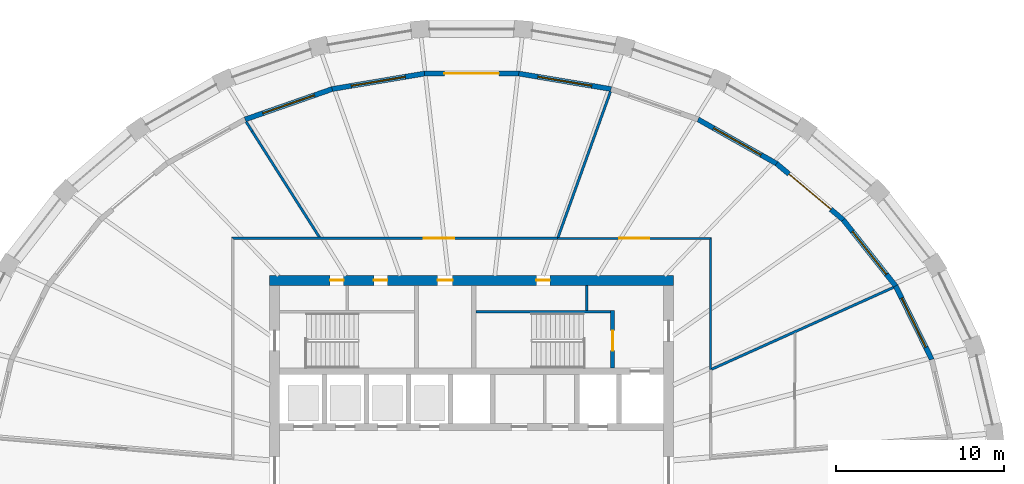
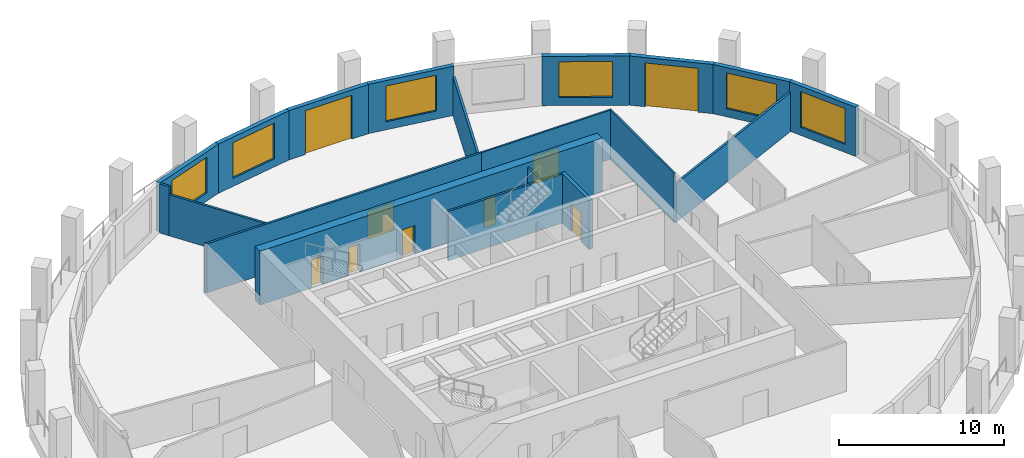
# One storey, part 6 of 10: 19 walls, 9 doors, 6 windows, 15 openings.
"""IFC4 building model written with IfcOpenShell, lengths in metres."""

import ifcopenshell
import ifcopenshell.guid

model = None  # the IFC model being written
_history = None  # IfcOwnerHistory: only IFC2X3 demands one
_inside = {}  # id of a spatial element -> (the spatial element, [elements in it])
_under = {}  # id of a project, library or spatial element -> (it, [spatial elements below it])
_declared = {}  # id of a project -> (the project, [libraries it declares])
_typed = {}  # id of a type object -> (the type object, [elements of that type])
_made_of = {}  # id of a material, layer set ... -> (it, [elements and type objects made of it])


def new_model(schema):
    """Start an empty IFC model of exactly this schema.

    Asked for "IFC4X3", IfcOpenShell would pick the latest addendum, in which some entities
    have other attributes; the version numbers below select the first issue.
    IFC2X3 requires an IfcOwnerHistory on every rooted entity: one is made here for all.
    """
    global model, _history
    if schema == "IFC4X3":
        model = ifcopenshell.file(schema_version=(4, 3, 0, 0))
    else:
        model = ifcopenshell.file(schema=schema)
    _inside.clear()
    _under.clear()
    _declared.clear()
    _typed.clear()
    _made_of.clear()
    _history = None
    if model.schema == "IFC2X3":
        org = make("IfcOrganization", Name="unknown")
        user = make(
            "IfcPersonAndOrganization",
            ThePerson=make("IfcPerson", FamilyName="unknown"),
            TheOrganization=org,
        )
        app = make(
            "IfcApplication",
            ApplicationDeveloper=org,
            Version="unknown",
            ApplicationFullName="unknown",
            ApplicationIdentifier="unknown",
        )
        _history = make(
            "IfcOwnerHistory",
            OwningUser=user,
            OwningApplication=app,
            ChangeAction="ADDED",
            CreationDate=0,
        )
    return model


def make(cls, **values):
    """One entity of the class cls with the attributes given. An attribute that is None is left unset."""
    return model.create_entity(
        cls, **{name: value for name, value in values.items() if value is not None}
    )


def rooted(cls, **values):
    """An entity with a GlobalId (a new one), such as an element, a storey or a relation."""
    return make(cls, GlobalId=ifcopenshell.guid.new(), OwnerHistory=_history, **values)


def si_unit(unit_type, name, prefix=None):
    """IfcSIUnit, for example si_unit("LENGTHUNIT", "METRE", prefix="MILLI")."""
    return make("IfcSIUnit", UnitType=unit_type, Prefix=prefix, Name=name)


def assignment(units):
    """IfcUnitAssignment: the units of a project."""
    return None if units is None else make("IfcUnitAssignment", Units=units)


def point(xyz):
    """IfcCartesianPoint."""
    return None if xyz is None else make("IfcCartesianPoint", Coordinates=xyz)


def direction(xyz):
    """IfcDirection."""
    return None if xyz is None else make("IfcDirection", DirectionRatios=xyz)


def frame(location, z_axis=None, x_axis=None):
    """IfcAxis2Placement3D, a coordinate frame: its origin and axes. An axis left out is left unset."""
    return make(
        "IfcAxis2Placement3D",
        Location=point(location),
        Axis=direction(z_axis),
        RefDirection=direction(x_axis),
    )


def frame_2d(location, x_axis=None):
    """IfcAxis2Placement2D, a coordinate frame in the plane: its origin and x axis."""
    return make(
        "IfcAxis2Placement2D", Location=point(location), RefDirection=direction(x_axis)
    )


def origin():
    """The frame at (0, 0, 0) with its axes left unset."""
    return frame((0.0, 0.0, 0.0))


def place(relative_to, where):
    """IfcLocalPlacement: puts the frame where relative to a parent placement (None: the world)."""
    return make(
        "IfcLocalPlacement", PlacementRelTo=relative_to, RelativePlacement=where
    )


def context(
    kind, dimensions, precision=None, world=None, true_north=None, identifier=None
):
    """IfcGeometricRepresentationContext, for example the 3D "Model" context."""
    return make(
        "IfcGeometricRepresentationContext",
        ContextIdentifier=identifier,
        ContextType=kind,
        CoordinateSpaceDimension=dimensions,
        Precision=precision,
        WorldCoordinateSystem=world,
        TrueNorth=true_north,
    )


def subcontext(parent, identifier, kind, view, scale=None):
    """IfcGeometricRepresentationSubContext, for example "Body" below "Model"."""
    return make(
        "IfcGeometricRepresentationSubContext",
        ContextIdentifier=identifier,
        ContextType=kind,
        ParentContext=parent,
        TargetScale=scale,
        TargetView=view,
    )


def project(units=None, contexts=None):
    """IfcProject with its units and contexts."""
    return rooted(
        "IfcProject",
        Name="project",
        RepresentationContexts=contexts,
        UnitsInContext=assignment(units),
    )


def spatial(cls, under=None, at=None, **own):
    """A site, building, storey or space (cls), placed at a placement, below another one or the project."""
    s = rooted(cls, ObjectPlacement=at, **own)
    if under is not None:
        _under.setdefault(under.id(), (under, []))[1].append(s)
    return s


def polyline(points):
    """IfcPolyline through the points."""
    return make("IfcPolyline", Points=[point(p) for p in points])


def profile(cls, at=None, kind="AREA", **sizes):
    """A parametric profile (cls). Its sizes go by their IFC names, for example OverallWidth=200.0."""
    return make(cls, ProfileType=kind, Position=at, **sizes)


def rectangle(**sizes):
    """IfcRectangleProfileDef."""
    return profile("IfcRectangleProfileDef", **sizes)


def outline(outer, holes=None, kind="AREA"):
    """IfcArbitraryClosedProfileDef: a profile drawn as a closed curve; with holes, ...WithVoids."""
    if holes is None:
        return make("IfcArbitraryClosedProfileDef", ProfileType=kind, OuterCurve=outer)
    return make(
        "IfcArbitraryProfileDefWithVoids",
        ProfileType=kind,
        OuterCurve=outer,
        InnerCurves=holes,
    )


def extrude(swept, where, along, depth):
    """IfcExtrudedAreaSolid: the profile swept, set in the frame where, extruded along a direction by depth."""
    return make(
        "IfcExtrudedAreaSolid",
        SweptArea=swept,
        Position=where,
        ExtrudedDirection=direction(along),
        Depth=depth,
    )


def shape(context_of_items, identifier, shape_type, items):
    """IfcShapeRepresentation: the items that make up one representation, for example the "Body"."""
    return make(
        "IfcShapeRepresentation",
        ContextOfItems=context_of_items,
        RepresentationIdentifier=identifier,
        RepresentationType=shape_type,
        Items=items,
    )


def material(Name=None, Category=None):
    """IfcMaterial."""
    return make("IfcMaterial", Name=Name, Category=Category)


def layer(
    of_material, thickness, ventilated=None, Name=None, Category=None, Priority=None
):
    """IfcMaterialLayer: one layer of a wall or slab, of a material (None: an air gap)."""
    return make(
        "IfcMaterialLayer",
        Material=of_material,
        LayerThickness=thickness,
        IsVentilated=ventilated,
        Name=Name,
        Category=Category,
        Priority=Priority,
    )


def layer_set(layers, Name=None):
    """IfcMaterialLayerSet."""
    return make("IfcMaterialLayerSet", MaterialLayers=layers, LayerSetName=Name)


def made_of(thing, what):
    """Note that an element or type object is made of a material, layer set ...; save() writes the relation."""
    if what is not None:
        _made_of.setdefault(what.id(), (what, []))[1].append(thing)
    return thing


def type_object(cls, material=None, **own):
    """A type object (cls), such as IfcWallType, which elements share."""
    return made_of(rooted(cls, **own), material)


def element(
    cls,
    number,
    at=None,
    inside=None,
    cuts=None,
    type_object=None,
    material=None,
    context=None,
    identifier="Body",
    shape_type=None,
    held_by="IfcProductDefinitionShape",
    body=None,
    shapes=None,
    **own,
):
    """One element of the class cls, such as IfcWall. Its Tag is "e" and its number.

    at: its placement. inside: the storey or other place that contains it. cuts: it is an
    opening in that element (IfcRelVoidsElement). A single representation is given by context,
    identifier, shape_type and body (its items); several are given by shapes. held_by: the class
    of the entity that holds the representations. save() writes the other relations.
    """
    e = rooted(cls, Tag="e%d" % number, ObjectPlacement=at, **own)
    if body is not None:
        shapes = [shape(context, identifier, shape_type, body)]
    if shapes is not None:
        e.Representation = make(held_by, Representations=shapes)
    if inside is not None:
        _inside.setdefault(inside.id(), (inside, []))[1].append(e)
    if cuts is not None:
        rooted(
            "IfcRelVoidsElement", RelatingBuildingElement=cuts, RelatedOpeningElement=e
        )
    if type_object is not None:
        _typed.setdefault(type_object.id(), (type_object, []))[1].append(e)
    return made_of(e, material)


def fill(opening, filler):
    """IfcRelFillsElement: the door or window that sits in an opening."""
    return rooted(
        "IfcRelFillsElement",
        RelatingOpeningElement=opening,
        RelatedBuildingElement=filler,
    )


def aggregate(whole, parts):
    """IfcRelAggregates: a whole, such as a stair, and the parts it consists of."""
    return rooted("IfcRelAggregates", RelatingObject=whole, RelatedObjects=parts)


def save(model, path):
    """Write the relations noted so far, then the file.

    IfcRelAggregates (storeys below a building ...), IfcRelContainedInSpatialStructure (elements
    in a storey), IfcRelDefinesByType, IfcRelAssociatesMaterial and IfcRelDeclares: one each for
    every whole, place, type object, material and project.
    """
    for whole, parts in _under.values():
        aggregate(whole, parts)
    for where, things in _inside.values():
        rooted(
            "IfcRelContainedInSpatialStructure",
            RelatedElements=things,
            RelatingStructure=where,
        )
    for kind, things in _typed.values():
        rooted("IfcRelDefinesByType", RelatedObjects=things, RelatingType=kind)
    for what, things in _made_of.values():
        rooted("IfcRelAssociatesMaterial", RelatedObjects=things, RelatingMaterial=what)
    for by, libraries in _declared.values():
        rooted("IfcRelDeclares", RelatingContext=by, RelatedDefinitions=libraries)
    model.write(path)


model = new_model("IFC4")

# Units and contexts
model_context = context("Model", 3, precision=1e-05, world=origin(), true_north=direction((0.0, 1.0)))
body_context = subcontext(model_context, "Body", "Model", "MODEL_VIEW")
ifc_project = project(units=[si_unit("LENGTHUNIT", "METRE"), si_unit("AREAUNIT", "SQUARE_METRE"), si_unit("VOLUMEUNIT", "CUBIC_METRE"), si_unit("PLANEANGLEUNIT", "RADIAN"), si_unit("MASSUNIT", "GRAM", prefix="KILO")], contexts=[model_context])

# Site, building, storey
site_placement = place(None, origin())
site = spatial("IfcSite", under=ifc_project, at=site_placement, CompositionType="ELEMENT")
building_placement = place(site_placement, origin())
building = spatial("IfcBuilding", under=site, at=building_placement, Name="Halqa Exchange Tower", CompositionType="ELEMENT")
storey_placement = place(building_placement, frame((0.0, 0.0, 246.89990234375)))
storey = spatial("IfcBuildingStorey", under=building, at=storey_placement, Name="L57", CompositionType="ELEMENT", Elevation=246.89990234375)

# Wall, opening, door
ifc_material_1 = material(Name="Fire-rated gypsum board")
ifc_layer_1 = layer(ifc_material_1, 0.14990234375)
ifc_layer_set_1 = layer_set([ifc_layer_1], Name="Fire-rated gypsum board")
wall_type_1 = type_object("IfcWallType", Name="Fire partition EI 60 150", PredefinedType="PARTITIONING", material=ifc_layer_set_1)
wall_1_placement = place(storey_placement, frame((-14.27490234375, 14.199951171875, 0.0), z_axis=(0.0, 0.0, 1.0), x_axis=(1.0, 0.0, 0.0)))
wall_1 = element("IfcWall", 1, at=wall_1_placement, inside=storey, type_object=wall_type_1, Name="L57-PWL-005", PredefinedType="PARTITIONING", context=body_context, shape_type="SweptSolid", body=[
    extrude(outline(polyline([(19.385009765625, 0.074951171875), (17.446533203125, 0.074951171875), (15.508056640625, 0.074951171875), (13.569580078125, 0.074951171875), (11.631103515625, 0.074951171875), (9.6923828125, 0.074951171875), (7.75390625, 0.074951171875), (5.8154296875, 0.074951171875), (3.876953125, 0.074951171875), (1.9384765625, 0.074951171875), (0.0, 0.074951171875), (0.14990234375, -0.074951171875), (2.073486328125, -0.074951171875), (3.996826171875, -0.074951171875), (5.92041015625, -0.074951171875), (7.843994140625, -0.074951171875), (9.767578125, -0.074951171875), (11.69091796875, -0.074951171875), (13.614501953125, -0.074951171875), (15.5380859375, -0.074951171875), (17.46142578125, -0.074951171875), (19.385009765625, -0.074951171875), (19.385009765625, 0.074951171875)])), origin(), (0.0, 0.0, 1.0), 3.650146484375),
])
opening_1_placement = place(wall_1_placement, frame((11.429931640625, 0.0, 0.0)))
opening_1 = element("IfcOpeningElement", 2, at=opening_1_placement, cuts=wall_1, Name="Opening 17-06", PredefinedType="OPENING", context=body_context, shape_type="SweptSolid", body=[
    extrude(rectangle(XDim=1.800048828125, YDim=2.10009765625, at=frame_2d((0.89990234375, 1.050048828125))), frame((0.0, 0.0869140625, 0.0), z_axis=(0.0, -1.0, 0.0), x_axis=(1.0, 0.0, 0.0)), (0.0, 0.0, 1.0), 0.173828125),
])
ifc_material_2 = material(Name="Steel fire door leaf", Category="steel")
door_type_1 = type_object("IfcDoorType", Name="Fire door FD30S double 1800 x 2100", OperationType="DOUBLE_DOOR_SINGLE_SWING", PredefinedType="DOOR", material=ifc_material_2)
door_1_placement = place(opening_1_placement, origin())
door_1 = element("IfcDoor", 3, at=door_1_placement, inside=storey, type_object=door_type_1, Name="L57-IDR-006", OperationType="DOUBLE_DOOR_SINGLE_SWING", OverallHeight=2.10009765625, OverallWidth=1.800048828125, PredefinedType="DOOR", context=body_context, shape_type="SweptSolid", body=[
    extrude(rectangle(XDim=1.800048828125, YDim=2.10009765625, at=frame_2d((0.89990234375, 1.050048828125))), frame((0.0, 0.02490234375, 0.0), z_axis=(0.0, -1.0, 0.0), x_axis=(1.0, 0.0, 0.0)), (0.0, 0.0, 1.0), 0.050048828125),
])
fill(opening_1, door_1)

# Walls
wall_2_placement = place(storey_placement, frame((-9.022216796875, 14.235107421875, 0.0), z_axis=(0.0, 0.0, 1.0), x_axis=(-0.536113951256, 0.844145622075, 0.0)))
element("IfcWall", 4, at=wall_2_placement, inside=storey, type_object=wall_type_1, Name="L57-PWL-006", PredefinedType="PARTITIONING", context=body_context, shape_type="SweptSolid", body=[
    extrude(outline(polyline([(7.49072265625, 0.074951171875), (5.641845703125, 0.074951171875), (3.792724609375, 0.074951171875), (1.94384765625, 0.074951171875), (0.094970703125, 0.074951171875), (0.0, -0.074462890625), (0.0, -0.074951171875), (1.87255859375, -0.074951171875), (3.745361328125, -0.074951171875), (5.6181640625, -0.074951171875), (7.49072265625, -0.074951171875), (7.49072265625, 0.074951171875)])), origin(), (0.0, 0.0, 1.0), 3.050048828125),
])
wall_3_placement = place(storey_placement, frame((5.1279296875, 14.25, 0.0), z_axis=(0.0, 0.0, 1.0), x_axis=(0.33871853012, 0.940887749603, 0.0)))
element("IfcWall", 5, at=wall_3_placement, inside=storey, type_object=wall_type_1, Name="L57-PWL-010", PredefinedType="PARTITIONING", context=body_context, shape_type="SweptSolid", body=[
    extrude(outline(polyline([(9.215087890625, -0.074951171875), (9.215087890625, -0.060546875), (9.214599609375, 0.001953125), (9.201171875, 0.074951171875), (7.361083984375, 0.074951171875), (5.520751953125, 0.074951171875), (3.680419921875, 0.074951171875), (1.84033203125, 0.074951171875), (0.0, 0.074951171875), (0.0, 0.07373046875), (0.017333984375, 0.025390625), (0.00341796875, 0.020263671875), (0.03759765625, -0.074951171875), (1.873046875, -0.074951171875), (3.70849609375, -0.074951171875), (5.544189453125, -0.074951171875), (7.379638671875, -0.074951171875), (9.215087890625, -0.074951171875)])), origin(), (0.0, 0.0, 1.0), 2.897216796875),
])
wall_4_placement = place(storey_placement, frame((14.24462890625, 6.420166015625, 0.0), z_axis=(0.0, 0.0, 1.0), x_axis=(0.911924971597, 0.410356974082, 0.0)))
element("IfcWall", 6, at=wall_4_placement, inside=storey, type_object=wall_type_1, Name="L57-PWL-018", PredefinedType="PARTITIONING", context=body_context, shape_type="SweptSolid", body=[
    extrude(outline(polyline([(0.0, -0.074951171875), (1.78173828125, -0.074951171875), (3.563720703125, -0.074951171875), (5.345458984375, -0.074951171875), (5.34619140625, -0.072998046875), (5.3505859375, -0.074951171875), (6.97802734375, -0.074951171875), (8.60546875, -0.074951171875), (10.23291015625, -0.074951171875), (11.8603515625, -0.074951171875), (11.8603515625, -0.074462890625), (11.857666015625, 0.005126953125), (11.840087890625, 0.074951171875), (9.875, 0.074951171875), (7.91015625, 0.074951171875), (5.9453125, 0.074951171875), (3.98046875, 0.074951171875), (2.015380859375, 0.074951171875), (0.050537109375, 0.074951171875), (0.005859375, -0.024658203125), (0.01953125, -0.03076171875), (0.0, -0.073974609375), (0.0, -0.074951171875)])), origin(), (0.0, 0.0, 1.0), 2.880126953125),
])
wall_5_placement = place(storey_placement, frame((-13.0380859375, 20.558349609375, 0.0), z_axis=(0.0, 0.0, 1.0), x_axis=(-0.536263285698, 0.844050761751, 0.0)))
element("IfcWall", 7, at=wall_5_placement, inside=storey, type_object=wall_type_1, Name="L57-PWL-022", PredefinedType="PARTITIONING", context=body_context, shape_type="SweptSolid", body=[
    extrude(outline(polyline([(0.0, -0.074951171875), (0.650634765625, -0.074951171875), (0.667236328125, -0.00390625), (0.671142578125, 0.069091796875), (0.671142578125, 0.074951171875), (0.0, 0.074951171875), (0.0, -0.074951171875)])), origin(), (0.0, 0.0, 1.0), 3.650146484375),
])

# Wall, opening, door
ifc_material_3 = material(Name="Fire-rated glazing", Category="glass")
ifc_layer_2 = layer(ifc_material_3, 0.1201171875)
ifc_layer_set_2 = layer_set([ifc_layer_2], Name="Fire-rated glazing")
wall_type_2 = type_object("IfcWallType", Name="Glazed fire partition EI 60 120", PredefinedType="PARTITIONING", material=ifc_layer_set_2)
wall_6_placement = place(storey_placement, frame((5.110107421875, 14.199951171875, 0.0), z_axis=(0.0, 0.0, 1.0), x_axis=(1.0, 0.0, 0.0)))
wall_6 = element("IfcWall", 8, at=wall_6_placement, inside=storey, type_object=wall_type_2, Name="L57-PWL-011", PredefinedType="PARTITIONING", context=body_context, shape_type="SweptSolid", body=[
    extrude(outline(polyline([(0.0, -0.06005859375), (1.805908203125, -0.06005859375), (3.61181640625, -0.06005859375), (5.41796875, -0.06005859375), (7.223876953125, -0.06005859375), (9.02978515625, -0.06005859375), (9.14990234375, 0.06005859375), (7.31982421875, 0.06005859375), (5.489990234375, 0.06005859375), (3.659912109375, 0.06005859375), (1.830078125, 0.06005859375), (0.0, 0.06005859375), (0.0, -0.06005859375)])), origin(), (0.0, 0.0, 1.0), 3.650146484375),
])
opening_2_placement = place(wall_6_placement, frame((3.64501953125, 0.0, 0.0)))
opening_2 = element("IfcOpeningElement", 9, at=opening_2_placement, cuts=wall_6, Name="Opening 17-05", PredefinedType="OPENING", context=body_context, shape_type="SweptSolid", body=[
    extrude(rectangle(XDim=1.800048828125, YDim=2.10009765625, at=frame_2d((0.89990234375, 1.050048828125))), frame((0.0, 0.072021484375, 0.0), z_axis=(0.0, -1.0, 0.0), x_axis=(1.0, 0.0, 0.0)), (0.0, 0.0, 1.0), 0.14404296875),
])
door_2_placement = place(opening_2_placement, origin())
door_2 = element("IfcDoor", 10, at=door_2_placement, inside=storey, type_object=door_type_1, Name="L57-IDR-005", OperationType="DOUBLE_DOOR_SINGLE_SWING", OverallHeight=2.10009765625, OverallWidth=1.800048828125, PredefinedType="DOOR", context=body_context, shape_type="SweptSolid", body=[
    extrude(rectangle(XDim=1.800048828125, YDim=2.10009765625, at=frame_2d((0.89990234375, 1.050048828125))), frame((0.0, 0.02490234375, 0.0), z_axis=(0.0, -1.0, 0.0), x_axis=(1.0, 0.0, 0.0)), (0.0, 0.0, 1.0), 0.050048828125),
])
fill(opening_2, door_2)

# Walls
wall_7_placement = place(storey_placement, frame((14.199951171875, 14.260009765625, 0.0), z_axis=(0.0, 0.0, 1.0), x_axis=(0.0, -1.0, 0.0)))
element("IfcWall", 11, at=wall_7_placement, inside=storey, type_object=wall_type_2, Name="L57-PWL-019", PredefinedType="PARTITIONING", context=body_context, shape_type="SweptSolid", body=[
    extrude(outline(polyline([(7.860107421875, 0.06005859375), (5.89501953125, 0.06005859375), (3.93017578125, 0.06005859375), (1.965087890625, 0.06005859375), (0.0, 0.06005859375), (0.1201171875, -0.06005859375), (2.05517578125, -0.06005859375), (3.990234375, -0.06005859375), (5.925048828125, -0.06005859375), (7.860107421875, -0.06005859375), (7.860107421875, 0.06005859375)])), origin(), (0.0, 0.0, 1.0), 3.650146484375),
])
ifc_material_4 = material(Name="Gypsum board")
ifc_layer_3 = layer(ifc_material_4, 0.14990234375)
ifc_layer_set_3 = layer_set([ifc_layer_3], Name="Gypsum board")
wall_type_3 = type_object("IfcWallType", Name="Penthouse riser wall 150 gypsum", PredefinedType="PARTITIONING", material=ifc_layer_set_3)
wall_8_placement = place(storey_placement, frame((6.824951171875, 9.89990234375, 0.0), z_axis=(0.0, 0.0, 1.0), x_axis=(0.0, 1.0, 0.0)))
element("IfcWall", 12, at=wall_8_placement, inside=storey, type_object=wall_type_3, Name="Firefighting lobby west wall N", PredefinedType="PARTITIONING", context=body_context, shape_type="SweptSolid", body=[
    extrude(rectangle(XDim=1.5, YDim=0.14990234375, at=frame_2d((0.75, 0.0))), origin(), (0.0, 0.0, 1.0), 3.650146484375),
])

# Wall, openings, doors
ifc_material_5 = material(Name="Concrete C70/85", Category="concrete")
ifc_layer_4 = layer(ifc_material_5, 0.60009765625)
ifc_layer_set_4 = layer_set([ifc_layer_4], Name="Concrete C70/85")
wall_type_4 = type_object("IfcWallType", Name="RC core wall 600 C70/85", PredefinedType="SHEAR", material=ifc_layer_set_4)
wall_9_placement = place(storey_placement, frame((-12.0, 11.699951171875, 0.0), z_axis=(0.0, 0.0, 1.0), x_axis=(1.0, 0.0, 0.0)))
wall_9 = element("IfcWall", 13, at=wall_9_placement, inside=storey, type_object=wall_type_4, Name="Core wall north", PredefinedType="SHEAR", context=body_context, shape_type="SweptSolid", body=[
    extrude(rectangle(XDim=24.0, YDim=0.60009765625, at=frame_2d((12.0, 0.0))), origin(), (0.0, 0.0, 1.0), 4.0),
])
opening_3_placement = place(wall_9_placement, frame((9.97509765625, 0.0, 0.0)))
opening_3 = element("IfcOpeningElement", 14, at=opening_3_placement, cuts=wall_9, Name="Opening T17-C21", PredefinedType="OPENING", context=body_context, shape_type="SweptSolid", body=[
    extrude(rectangle(XDim=0.89990234375, YDim=2.10009765625, at=frame_2d((0.449951171875, 1.050048828125))), frame((0.0, 0.31201171875, 0.0), z_axis=(0.0, -1.0, 0.0), x_axis=(1.0, 0.0, 0.0)), (0.0, 0.0, 1.0), 0.6240234375),
])
opening_4_placement = place(wall_9_placement, frame((3.60009765625, 0.0, 0.0)))
opening_4 = element("IfcOpeningElement", 15, at=opening_4_placement, cuts=wall_9, Name="Opening T17-C22", PredefinedType="OPENING", context=body_context, shape_type="SweptSolid", body=[
    extrude(rectangle(XDim=0.800048828125, YDim=2.10009765625, at=frame_2d((0.39990234375, 1.050048828125))), frame((0.0, 0.31201171875, 0.0), z_axis=(0.0, -1.0, 0.0), x_axis=(1.0, 0.0, 0.0)), (0.0, 0.0, 1.0), 0.6240234375),
])
opening_5_placement = place(wall_9_placement, frame((6.199951171875, 0.0, 0.0)))
opening_5 = element("IfcOpeningElement", 16, at=opening_5_placement, cuts=wall_9, Name="Opening T17-C23", PredefinedType="OPENING", context=body_context, shape_type="SweptSolid", body=[
    extrude(rectangle(XDim=0.800048828125, YDim=2.10009765625, at=frame_2d((0.39990234375, 1.050048828125))), frame((0.0, 0.31201171875, 0.0), z_axis=(0.0, -1.0, 0.0), x_axis=(1.0, 0.0, 0.0)), (0.0, 0.0, 1.0), 0.6240234375),
])
opening_6_placement = place(wall_9_placement, frame((15.85009765625, 0.0, 0.0)))
opening_6 = element("IfcOpeningElement", 17, at=opening_6_placement, cuts=wall_9, Name="Opening T17-C24", PredefinedType="OPENING", context=body_context, shape_type="SweptSolid", body=[
    extrude(rectangle(XDim=0.800048828125, YDim=2.10009765625, at=frame_2d((0.39990234375, 1.050048828125))), frame((0.0, 0.31201171875, 0.0), z_axis=(0.0, -1.0, 0.0), x_axis=(1.0, 0.0, 0.0)), (0.0, 0.0, 1.0), 0.6240234375),
])
ifc_material_6 = material(Name="Timber fire door leaf", Category="wood")
door_type_2 = type_object("IfcDoorType", Name="Core room door FD30 900 x 2100", OperationType="SINGLE_SWING_LEFT", PredefinedType="DOOR", material=ifc_material_6)
door_3_placement = place(opening_3_placement, frame((0.89990234375, 0.0, 0.0), z_axis=(0.0, 0.0, 1.0), x_axis=(-1.0, 0.0, 0.0)))
door_3 = element("IfcDoor", 18, at=door_3_placement, inside=storey, type_object=door_type_2, Name="Core room door", OperationType="SINGLE_SWING_RIGHT", OverallHeight=2.10009765625, OverallWidth=0.89990234375, PredefinedType="DOOR", context=body_context, shape_type="SweptSolid", body=[
    extrude(rectangle(XDim=0.89990234375, YDim=2.10009765625, at=frame_2d((0.449951171875, 1.050048828125))), frame((0.0, 0.02490234375, 0.0), z_axis=(0.0, -1.0, 0.0), x_axis=(1.0, 0.0, 0.0)), (0.0, 0.0, 1.0), 0.050048828125),
])
fill(opening_3, door_3)
door_type_3 = type_object("IfcDoorType", Name="Riser door FD60 800 x 2100", OperationType="SINGLE_SWING_LEFT", PredefinedType="DOOR", material=ifc_material_2)
door_4_placement = place(opening_4_placement, frame((0.800048828125, 0.0, 0.0), z_axis=(0.0, 0.0, 1.0), x_axis=(-1.0, 0.0, 0.0)))
door_4 = element("IfcDoor", 19, at=door_4_placement, inside=storey, type_object=door_type_3, Name="Core room door", OperationType="SINGLE_SWING_RIGHT", OverallHeight=2.10009765625, OverallWidth=0.800048828125, PredefinedType="DOOR", context=body_context, shape_type="SweptSolid", body=[
    extrude(rectangle(XDim=0.800048828125, YDim=2.10009765625, at=frame_2d((0.39990234375, 1.050048828125))), frame((0.0, 0.02490234375, 0.0), z_axis=(0.0, -1.0, 0.0), x_axis=(1.0, 0.0, 0.0)), (0.0, 0.0, 1.0), 0.050048828125),
])
fill(opening_4, door_4)
door_5_placement = place(opening_5_placement, frame((0.800048828125, 0.0, 0.0), z_axis=(0.0, 0.0, 1.0), x_axis=(-1.0, 0.0, 0.0)))
door_5 = element("IfcDoor", 20, at=door_5_placement, inside=storey, type_object=door_type_3, Name="Core room door", OperationType="SINGLE_SWING_RIGHT", OverallHeight=2.10009765625, OverallWidth=0.800048828125, PredefinedType="DOOR", context=body_context, shape_type="SweptSolid", body=[
    extrude(rectangle(XDim=0.800048828125, YDim=2.10009765625, at=frame_2d((0.39990234375, 1.050048828125))), frame((0.0, 0.02490234375, 0.0), z_axis=(0.0, -1.0, 0.0), x_axis=(1.0, 0.0, 0.0)), (0.0, 0.0, 1.0), 0.050048828125),
])
fill(opening_5, door_5)
door_6_placement = place(opening_6_placement, frame((0.800048828125, 0.0, 0.0), z_axis=(0.0, 0.0, 1.0), x_axis=(-1.0, 0.0, 0.0)))
door_6 = element("IfcDoor", 21, at=door_6_placement, inside=storey, type_object=door_type_3, Name="Core room door", OperationType="SINGLE_SWING_RIGHT", OverallHeight=2.10009765625, OverallWidth=0.800048828125, PredefinedType="DOOR", context=body_context, shape_type="SweptSolid", body=[
    extrude(rectangle(XDim=0.800048828125, YDim=2.10009765625, at=frame_2d((0.39990234375, 1.050048828125))), frame((0.0, 0.02490234375, 0.0), z_axis=(0.0, -1.0, 0.0), x_axis=(1.0, 0.0, 0.0)), (0.0, 0.0, 1.0), 0.050048828125),
])
fill(opening_6, door_6)

# Wall
ifc_material_7 = material(Name="Concrete C30/37", Category="concrete")
ifc_layer_5 = layer(ifc_material_7, 0.14990234375)
ifc_layer_set_5 = layer_set([ifc_layer_5], Name="Concrete C30/37")
wall_type_5 = type_object("IfcWallType", Name="RC stair wall 150 C30/37", PredefinedType="SHEAR", material=ifc_layer_set_5)
wall_10_placement = place(storey_placement, frame((0.25, 9.824951171875, 0.0), z_axis=(0.0, 0.0, 1.0), x_axis=(1.0, 0.0, 0.0)))
element("IfcWall", 22, at=wall_10_placement, inside=storey, type_object=wall_type_5, Name="Stair ST2 north wall N", PredefinedType="SHEAR", context=body_context, shape_type="SweptSolid", body=[
    extrude(rectangle(XDim=8.0, YDim=0.14990234375, at=frame_2d((4.0, 0.0))), origin(), (0.0, 0.0, 1.0), 3.650146484375),
])

# Wall, opening, door
ifc_layer_6 = layer(ifc_material_7, 0.25)
ifc_layer_set_6 = layer_set([ifc_layer_6], Name="Concrete C30/37")
wall_type_6 = type_object("IfcWallType", Name="RC stair wall 250 C30/37", PredefinedType="SHEAR", material=ifc_layer_set_6)
wall_11_placement = place(storey_placement, frame((8.375, 6.5, 0.0), z_axis=(0.0, 0.0, 1.0), x_axis=(0.0, 1.0, 0.0)))
wall_11 = element("IfcWall", 23, at=wall_11_placement, inside=storey, type_object=wall_type_6, Name="Stair ST2 east wall N", PredefinedType="SHEAR", context=body_context, shape_type="SweptSolid", body=[
    extrude(rectangle(XDim=3.39990234375, YDim=0.25, at=frame_2d((1.699951171875, 0.0))), origin(), (0.0, 0.0, 1.0), 3.650146484375),
])
opening_7_placement = place(wall_11_placement, frame((1.02490234375, 0.0, 0.0)))
opening_7 = element("IfcOpeningElement", 24, at=opening_7_placement, cuts=wall_11, Name="Opening T17-C16", PredefinedType="OPENING", context=body_context, shape_type="SweptSolid", body=[
    extrude(rectangle(XDim=1.199951171875, YDim=2.10009765625, at=frame_2d((0.60009765625, 1.050048828125))), frame((0.0, 0.136962890625, 0.0), z_axis=(0.0, -1.0, 0.0), x_axis=(1.0, 0.0, 0.0)), (0.0, 0.0, 1.0), 0.27392578125),
])
door_type_4 = type_object("IfcDoorType", Name="Stair door FD90 1200 x 2100", OperationType="SINGLE_SWING_LEFT", PredefinedType="DOOR", material=ifc_material_2)
door_7_placement = place(opening_7_placement, origin())
door_7 = element("IfcDoor", 25, at=door_7_placement, inside=storey, type_object=door_type_4, Name="Stair door ST2", OperationType="SINGLE_SWING_LEFT", OverallHeight=2.10009765625, OverallWidth=1.199951171875, PredefinedType="DOOR", context=body_context, shape_type="SweptSolid", body=[
    extrude(rectangle(XDim=1.199951171875, YDim=2.10009765625, at=frame_2d((0.60009765625, 1.050048828125))), frame((0.0, 0.02490234375, 0.0), z_axis=(0.0, -1.0, 0.0), x_axis=(1.0, 0.0, 0.0)), (0.0, 0.0, 1.0), 0.050048828125),
])
fill(opening_7, door_7)

# Wall, opening, window
ifc_material_8 = material(Name="Limestone cladding", Category="masonry")
ifc_layer_7 = layer(ifc_material_8, 0.0400390625)
ifc_material_9 = material(Name="Ventilated cavity")
ifc_layer_8 = layer(ifc_material_9, 0.030029296875, ventilated=True)
ifc_material_10 = material(Name="Mineral wool insulation")
ifc_layer_9 = layer(ifc_material_10, 0.10009765625)
ifc_layer_10 = layer(ifc_material_7, 0.10009765625)
ifc_material_11 = material(Name="Internal plaster")
ifc_layer_11 = layer(ifc_material_11, 0.030029296875)
ifc_layer_set_7 = layer_set([ifc_layer_7, ifc_layer_8, ifc_layer_9, ifc_layer_10, ifc_layer_11], Name="Stone-faced insulated wall 300")
wall_type_7 = type_object("IfcWallType", Name="Stone-faced insulated wall 300", PredefinedType="STANDARD", material=ifc_layer_set_7)
wall_12_placement = place(storey_placement, frame((27.329345703125, 7.00390625, 0.0), z_axis=(0.0, 0.0, 1.0), x_axis=(-0.441001730708, 0.897506252632, 0.0)))
wall_12 = element("IfcWall", 26, at=wall_12_placement, inside=storey, type_object=wall_type_7, Name="Glass-line wall 2", PredefinedType="STANDARD", context=body_context, shape_type="SweptSolid", body=[
    extrude(outline(polyline([(-0.016845703125, -0.14990234375), (4.88232421875, -0.14990234375), (4.85009765625, 0.14990234375), (0.016845703125, 0.14990234375), (-0.016845703125, -0.14990234375)])), origin(), (0.0, 0.0, 1.0), 3.650146484375),
])
opening_8_placement = place(wall_12_placement, frame((0.80810546875, 0.0, 0.60009765625)))
opening_8 = element("IfcOpeningElement", 27, at=opening_8_placement, cuts=wall_12, Name="Opening W-F3-02", PredefinedType="OPENING", context=body_context, shape_type="SweptSolid", body=[
    extrude(rectangle(XDim=3.25, YDim=2.64990234375, at=frame_2d((1.625, 1.324951171875))), frame((0.0, 0.162109375, 0.0), z_axis=(0.0, -1.0, 0.0), x_axis=(1.0, 0.0, 0.0)), (0.0, 0.0, 1.0), 0.323974609375),
])
ifc_material_12 = material(Name="Clear low-emissivity glass in aluminium frame", Category="aluminium")
window_type = type_object("IfcWindowType", Name="Fixed clear glazed window 3250 x 2650", PartitioningType="TRIPLE_PANEL_VERTICAL", PredefinedType="WINDOW", material=ifc_material_12)
window_1_placement = place(opening_8_placement, origin())
window_1 = element("IfcWindow", 28, at=window_1_placement, inside=storey, type_object=window_type, Name="Window 3", OverallHeight=2.64990234375, OverallWidth=3.25, PartitioningType="TRIPLE_PANEL_VERTICAL", PredefinedType="WINDOW", context=body_context, shape_type="SweptSolid", body=[
    extrude(rectangle(XDim=3.25, YDim=2.64990234375, at=frame_2d((1.625, 1.324951171875))), frame((0.0, 0.030029296875, 0.0), z_axis=(0.0, -1.0, 0.0), x_axis=(1.0, 0.0, 0.0)), (0.0, 0.0, 1.0), 0.06005859375),
])
fill(opening_8, window_1)

wall_13_placement = place(storey_placement, frame((25.183349609375, 11.371337890625, 0.0), z_axis=(0.0, 0.0, 1.0), x_axis=(-0.621130746167, 0.783706958094, 0.0)))
wall_13 = element("IfcWall", 29, at=wall_13_placement, inside=storey, type_object=wall_type_7, Name="Glass-line wall 3", PredefinedType="STANDARD", context=body_context, shape_type="SweptSolid", body=[
    extrude(outline(polyline([(-0.01611328125, -0.14990234375), (5.02783203125, -0.14990234375), (4.99755859375, 0.14990234375), (0.01611328125, 0.14990234375), (-0.01611328125, -0.14990234375)])), origin(), (0.0, 0.0, 1.0), 3.650146484375),
])
opening_9_placement = place(wall_13_placement, frame((0.88134765625, 0.0, 0.60009765625)))
opening_9 = element("IfcOpeningElement", 30, at=opening_9_placement, cuts=wall_13, Name="Opening W-F3-03", PredefinedType="OPENING", context=body_context, shape_type="SweptSolid", body=[
    extrude(rectangle(XDim=3.25, YDim=2.64990234375, at=frame_2d((1.625, 1.324951171875))), frame((0.0, 0.162109375, 0.0), z_axis=(0.0, -1.0, 0.0), x_axis=(1.0, 0.0, 0.0)), (0.0, 0.0, 1.0), 0.323974609375),
])
window_2_placement = place(opening_9_placement, origin())
window_2 = element("IfcWindow", 31, at=window_2_placement, inside=storey, type_object=window_type, Name="Window 3", OverallHeight=2.64990234375, OverallWidth=3.25, PartitioningType="TRIPLE_PANEL_VERTICAL", PredefinedType="WINDOW", context=body_context, shape_type="SweptSolid", body=[
    extrude(rectangle(XDim=3.25, YDim=2.64990234375, at=frame_2d((1.625, 1.324951171875))), frame((0.0, 0.030029296875, 0.0), z_axis=(0.0, -1.0, 0.0), x_axis=(1.0, 0.0, 0.0)), (0.0, 0.0, 1.0), 0.06005859375),
])
fill(opening_9, window_2)

# Wall, opening, door
wall_14_placement = place(storey_placement, frame((22.06982421875, 15.2998046875, 0.0), z_axis=(0.0, 0.0, 1.0), x_axis=(-0.764530975429, 0.644586989948, 0.0)))
wall_14 = element("IfcWall", 32, at=wall_14_placement, inside=storey, type_object=wall_type_7, Name="Glass-line wall 4", PredefinedType="STANDARD", context=body_context, shape_type="SweptSolid", body=[
    extrude(outline(polyline([(-0.01513671875, -0.14990234375), (5.1943359375, -0.14990234375), (5.166015625, 0.14990234375), (0.01513671875, 0.14990234375), (-0.01513671875, -0.14990234375)])), origin(), (0.0, 0.0, 1.0), 3.650146484375),
])
opening_10_placement = place(wall_14_placement, frame((0.965087890625, 0.0, 0.0)))
opening_10 = element("IfcOpeningElement", 33, at=opening_10_placement, cuts=wall_14, Name="Opening LG-F3-01", PredefinedType="OPENING", context=body_context, shape_type="SweptSolid", body=[
    extrude(rectangle(XDim=3.25, YDim=3.25, at=frame_2d((1.625, 1.625))), frame((0.0, 0.162109375, 0.0), z_axis=(0.0, -1.0, 0.0), x_axis=(1.0, 0.0, 0.0)), (0.0, 0.0, 1.0), 0.323974609375),
])
door_type_5 = type_object("IfcDoorType", Name="Glazed sliding loggia door 3250 x 3250", OperationType="DOUBLE_DOOR_SLIDING", PredefinedType="DOOR", material=ifc_material_12)
door_8_placement = place(opening_10_placement, origin())
door_8 = element("IfcDoor", 34, at=door_8_placement, inside=storey, type_object=door_type_5, Name="Loggia door 1", OperationType="DOUBLE_DOOR_SLIDING", OverallHeight=3.25, OverallWidth=3.25, PredefinedType="DOOR", context=body_context, shape_type="SweptSolid", body=[
    extrude(rectangle(XDim=3.25, YDim=3.25, at=frame_2d((1.625, 1.625))), frame((0.0, 0.02490234375, 0.0), z_axis=(0.0, -1.0, 0.0), x_axis=(1.0, 0.0, 0.0)), (0.0, 0.0, 1.0), 0.050048828125),
])
fill(opening_10, door_8)

# Wall, opening, window
wall_15_placement = place(storey_placement, frame((18.109375, 18.638916015625, 0.0), z_axis=(0.0, 0.0, 1.0), x_axis=(-0.871275151053, 0.490794876865, 0.0)))
wall_15 = element("IfcWall", 35, at=wall_15_placement, inside=storey, type_object=wall_type_7, Name="Glass-line wall 5", PredefinedType="STANDARD", context=body_context, shape_type="SweptSolid", body=[
    extrude(outline(polyline([(-0.01416015625, -0.14990234375), (5.35595703125, -0.14990234375), (5.3291015625, 0.14990234375), (0.01416015625, 0.14990234375), (-0.01416015625, -0.14990234375)])), origin(), (0.0, 0.0, 1.0), 3.650146484375),
])
opening_11_placement = place(wall_15_placement, frame((1.046142578125, 0.0, 0.60009765625)))
opening_11 = element("IfcOpeningElement", 36, at=opening_11_placement, cuts=wall_15, Name="Opening W-F3-05", PredefinedType="OPENING", context=body_context, shape_type="SweptSolid", body=[
    extrude(rectangle(XDim=3.25, YDim=2.64990234375, at=frame_2d((1.625, 1.324951171875))), frame((0.0, 0.162109375, 0.0), z_axis=(0.0, -1.0, 0.0), x_axis=(1.0, 0.0, 0.0)), (0.0, 0.0, 1.0), 0.323974609375),
])
window_3_placement = place(opening_11_placement, origin())
window_3 = element("IfcWindow", 37, at=window_3_placement, inside=storey, type_object=window_type, Name="Window 3", OverallHeight=2.64990234375, OverallWidth=3.25, PartitioningType="TRIPLE_PANEL_VERTICAL", PredefinedType="WINDOW", context=body_context, shape_type="SweptSolid", body=[
    extrude(rectangle(XDim=3.25, YDim=2.64990234375, at=frame_2d((1.625, 1.324951171875))), frame((0.0, 0.030029296875, 0.0), z_axis=(0.0, -1.0, 0.0), x_axis=(1.0, 0.0, 0.0)), (0.0, 0.0, 1.0), 0.06005859375),
])
fill(opening_11, window_3)

wall_16_placement = place(storey_placement, frame((8.284423828125, 23.06640625, 0.0), z_axis=(0.0, 0.0, 1.0), x_axis=(-0.98622977737, 0.16538085206, 0.0)))
wall_16 = element("IfcWall", 38, at=wall_16_placement, inside=storey, type_object=wall_type_7, Name="Glass-line wall 7", PredefinedType="STANDARD", context=body_context, shape_type="SweptSolid", body=[
    extrude(outline(polyline([(-0.0126953125, -0.14990234375), (5.576416015625, -0.14990234375), (5.551513671875, 0.14990234375), (0.0126953125, 0.14990234375), (-0.0126953125, -0.14990234375)])), origin(), (0.0, 0.0, 1.0), 3.650146484375),
])
opening_12_placement = place(wall_16_placement, frame((1.156982421875, 0.0, 0.60009765625)))
opening_12 = element("IfcOpeningElement", 39, at=opening_12_placement, cuts=wall_16, Name="Opening W-F3-07", PredefinedType="OPENING", context=body_context, shape_type="SweptSolid", body=[
    extrude(rectangle(XDim=3.25, YDim=2.64990234375, at=frame_2d((1.625, 1.324951171875))), frame((0.0, 0.162109375, 0.0), z_axis=(0.0, -1.0, 0.0), x_axis=(1.0, 0.0, 0.0)), (0.0, 0.0, 1.0), 0.323974609375),
])
window_4_placement = place(opening_12_placement, origin())
window_4 = element("IfcWindow", 40, at=window_4_placement, inside=storey, type_object=window_type, Name="Window 3", OverallHeight=2.64990234375, OverallWidth=3.25, PartitioningType="TRIPLE_PANEL_VERTICAL", PredefinedType="WINDOW", context=body_context, shape_type="SweptSolid", body=[
    extrude(rectangle(XDim=3.25, YDim=2.64990234375, at=frame_2d((1.625, 1.324951171875))), frame((0.0, 0.030029296875, 0.0), z_axis=(0.0, -1.0, 0.0), x_axis=(1.0, 0.0, 0.0)), (0.0, 0.0, 1.0), 0.06005859375),
])
fill(opening_12, window_4)

# Wall, opening, door
wall_17_placement = place(storey_placement, frame((2.797119140625, 23.986572265625, 0.0), z_axis=(0.0, 0.0, 1.0), x_axis=(-1.0, 0.0, 0.0)))
wall_17 = element("IfcWall", 41, at=wall_17_placement, inside=storey, type_object=wall_type_7, Name="Glass-line wall 8", PredefinedType="STANDARD", context=body_context, shape_type="SweptSolid", body=[
    extrude(outline(polyline([(-0.012451171875, -0.14990234375), (5.606689453125, -0.14990234375), (5.581787109375, 0.14990234375), (0.012451171875, 0.14990234375), (-0.012451171875, -0.14990234375)])), origin(), (0.0, 0.0, 1.0), 3.650146484375),
])
opening_13_placement = place(wall_17_placement, frame((1.172119140625, 0.0, 0.0)))
opening_13 = element("IfcOpeningElement", 42, at=opening_13_placement, cuts=wall_17, Name="Opening LG-F3-02", PredefinedType="OPENING", context=body_context, shape_type="SweptSolid", body=[
    extrude(rectangle(XDim=3.25, YDim=3.25, at=frame_2d((1.625, 1.625))), frame((0.0, 0.162109375, 0.0), z_axis=(0.0, -1.0, 0.0), x_axis=(1.0, 0.0, 0.0)), (0.0, 0.0, 1.0), 0.323974609375),
])
door_9_placement = place(opening_13_placement, origin())
door_9 = element("IfcDoor", 43, at=door_9_placement, inside=storey, type_object=door_type_5, Name="Loggia door 2", OperationType="DOUBLE_DOOR_SLIDING", OverallHeight=3.25, OverallWidth=3.25, PredefinedType="DOOR", context=body_context, shape_type="SweptSolid", body=[
    extrude(rectangle(XDim=3.25, YDim=3.25, at=frame_2d((1.625, 1.625))), frame((0.0, 0.02490234375, 0.0), z_axis=(0.0, -1.0, 0.0), x_axis=(1.0, 0.0, 0.0)), (0.0, 0.0, 1.0), 0.050048828125),
])
fill(opening_13, door_9)

# Wall, opening, window
wall_18_placement = place(storey_placement, frame((-2.797119140625, 23.986572265625, 0.0), z_axis=(0.0, 0.0, 1.0), x_axis=(-0.98622977737, -0.16538085206, 0.0)))
wall_18 = element("IfcWall", 44, at=wall_18_placement, inside=storey, type_object=wall_type_7, Name="Glass-line wall 9", PredefinedType="STANDARD", context=body_context, shape_type="SweptSolid", body=[
    extrude(outline(polyline([(-0.012451171875, -0.14990234375), (5.57666015625, -0.14990234375), (5.55126953125, 0.14990234375), (0.012451171875, 0.14990234375), (-0.012451171875, -0.14990234375)])), origin(), (0.0, 0.0, 1.0), 3.650146484375),
])
opening_14_placement = place(wall_18_placement, frame((1.156982421875, 0.0, 0.60009765625)))
opening_14 = element("IfcOpeningElement", 45, at=opening_14_placement, cuts=wall_18, Name="Opening W-F3-09", PredefinedType="OPENING", context=body_context, shape_type="SweptSolid", body=[
    extrude(rectangle(XDim=3.25, YDim=2.64990234375, at=frame_2d((1.625, 1.324951171875))), frame((0.0, 0.162109375, 0.0), z_axis=(0.0, -1.0, 0.0), x_axis=(1.0, 0.0, 0.0)), (0.0, 0.0, 1.0), 0.323974609375),
])
window_5_placement = place(opening_14_placement, origin())
window_5 = element("IfcWindow", 46, at=window_5_placement, inside=storey, type_object=window_type, Name="Window 3", OverallHeight=2.64990234375, OverallWidth=3.25, PartitioningType="TRIPLE_PANEL_VERTICAL", PredefinedType="WINDOW", context=body_context, shape_type="SweptSolid", body=[
    extrude(rectangle(XDim=3.25, YDim=2.64990234375, at=frame_2d((1.625, 1.324951171875))), frame((0.0, 0.030029296875, 0.0), z_axis=(0.0, -1.0, 0.0), x_axis=(1.0, 0.0, 0.0)), (0.0, 0.0, 1.0), 0.06005859375),
])
fill(opening_14, window_5)

wall_19_placement = place(storey_placement, frame((-8.284423828125, 23.06640625, 0.0), z_axis=(0.0, 0.0, 1.0), x_axis=(-0.944093730832, -0.329677156326, 0.0)))
wall_19 = element("IfcWall", 47, at=wall_19_placement, inside=storey, type_object=wall_type_7, Name="Glass-line wall 10", PredefinedType="STANDARD", context=body_context, shape_type="SweptSolid", body=[
    extrude(outline(polyline([(-0.0126953125, -0.14990234375), (5.48974609375, -0.14990234375), (5.462890625, 0.14990234375), (0.0126953125, 0.14990234375), (-0.0126953125, -0.14990234375)])), origin(), (0.0, 0.0, 1.0), 3.650146484375),
])
opening_15_placement = place(wall_19_placement, frame((1.113037109375, 0.0, 0.60009765625)))
opening_15 = element("IfcOpeningElement", 48, at=opening_15_placement, cuts=wall_19, Name="Opening W-F3-10", PredefinedType="OPENING", context=body_context, shape_type="SweptSolid", body=[
    extrude(rectangle(XDim=3.25, YDim=2.64990234375, at=frame_2d((1.625, 1.324951171875))), frame((0.0, 0.162109375, 0.0), z_axis=(0.0, -1.0, 0.0), x_axis=(1.0, 0.0, 0.0)), (0.0, 0.0, 1.0), 0.323974609375),
])
window_6_placement = place(opening_15_placement, origin())
window_6 = element("IfcWindow", 49, at=window_6_placement, inside=storey, type_object=window_type, Name="Window 3", OverallHeight=2.64990234375, OverallWidth=3.25, PartitioningType="TRIPLE_PANEL_VERTICAL", PredefinedType="WINDOW", context=body_context, shape_type="SweptSolid", body=[
    extrude(rectangle(XDim=3.25, YDim=2.64990234375, at=frame_2d((1.625, 1.324951171875))), frame((0.0, 0.030029296875, 0.0), z_axis=(0.0, -1.0, 0.0), x_axis=(1.0, 0.0, 0.0)), (0.0, 0.0, 1.0), 0.06005859375),
])
fill(opening_15, window_6)

save(model, "model.ifc")
